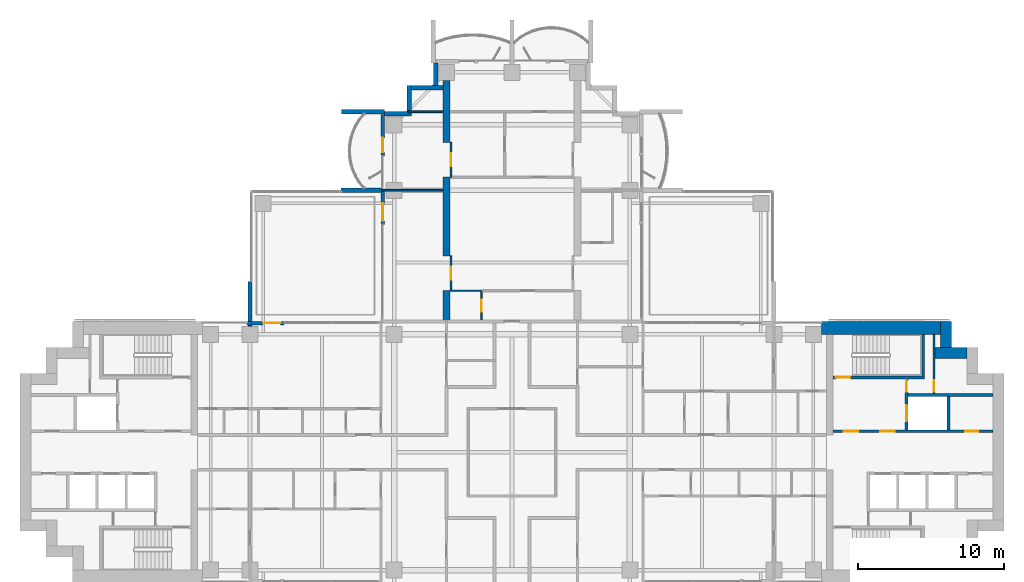
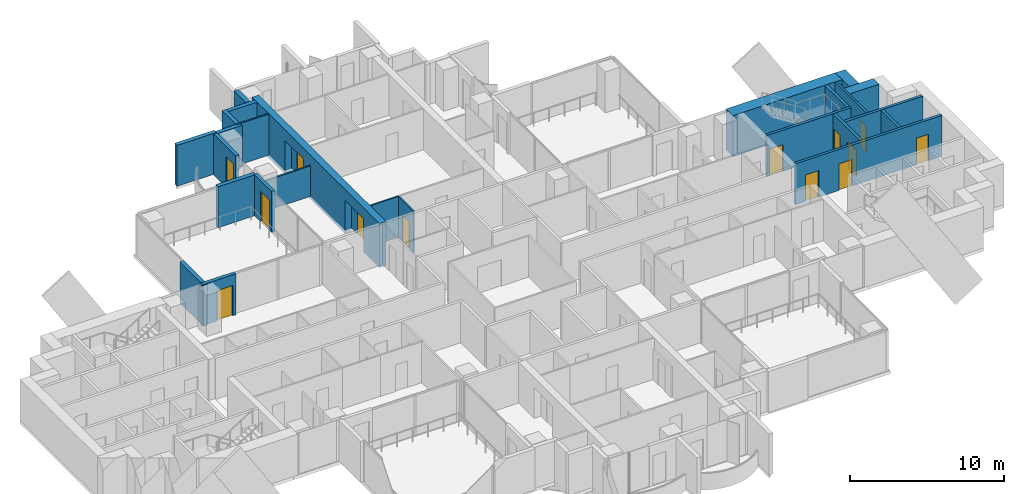
# One storey, part 13 of 19: 27 walls, 13 doors, 13 openings.
"""IFC4 building model written with IfcOpenShell, lengths in metres."""

from ifc_helpers import new_model, si_unit, direction, frame, frame_2d, origin, place, context, subcontext, project, spatial, polyline, rectangle, outline, extrude, material, layer, layer_set, material_profile, profile_set, type_object, element, fill, save


model = new_model("IFC4")

# Units and contexts
model_context = context("Model", 3, precision=1e-05, world=origin(), true_north=direction((0.0, 1.0)))
body_context = subcontext(model_context, "Body", "Model", "MODEL_VIEW")
ifc_project = project(units=[si_unit("LENGTHUNIT", "METRE"), si_unit("AREAUNIT", "SQUARE_METRE"), si_unit("VOLUMEUNIT", "CUBIC_METRE"), si_unit("PLANEANGLEUNIT", "RADIAN"), si_unit("MASSUNIT", "GRAM", prefix="KILO")], contexts=[model_context])

# Site, building, storey
site_placement = place(None, origin())
site = spatial("IfcSite", under=ifc_project, at=site_placement, CompositionType="ELEMENT")
building_placement = place(site_placement, origin())
building = spatial("IfcBuilding", under=site, at=building_placement, Name="Perihelion Cross Residences", CompositionType="ELEMENT")
storey_placement = place(building_placement, frame((0.0, 0.0, 126.89990234375)))
storey = spatial("IfcBuildingStorey", under=building, at=storey_placement, Name="L30", CompositionType="ELEMENT", Elevation=126.89990234375)

# Wall, opening, door
ifc_material_1 = material(Name="Concrete C30/37, bronze-clad", Category="concrete")
ifc_layer_1 = layer(ifc_material_1, 0.25)
ifc_layer_set_1 = layer_set([ifc_layer_1], Name="Bronze-clad pier wall 250")
wall_type_1 = type_object("IfcWallType", Name="Bronze-clad pier wall 250", PredefinedType="SOLIDWALL", material=ifc_layer_set_1)
wall_1_placement = place(storey_placement, frame((-8.875, 23.199951171875, 0.0), z_axis=(0.0, 0.0, 1.0), x_axis=(0.0, -1.0, 0.0)))
wall_1 = element("IfcWall", 1, at=wall_1_placement, inside=storey, type_object=wall_type_1, Name="Wall FW1 L30 north side west bay 1 pier", PredefinedType="SOLIDWALL", context=body_context, shape_type="SweptSolid", body=[
    extrude(rectangle(XDim=2.849853515625, YDim=0.25, at=frame_2d((1.4248046875, 0.0))), origin(), (0.0, 0.0, 1.0), 3.25),
])
opening_1_placement = place(wall_1_placement, frame((1.60009765625, 0.0, 0.0)))
opening_1 = element("IfcOpeningElement", 2, at=opening_1_placement, cuts=wall_1, Name="Opening L30.E06", PredefinedType="OPENING", context=body_context, shape_type="SweptSolid", body=[
    extrude(rectangle(XDim=1.0, YDim=2.39990234375, at=frame_2d((0.5, 1.199951171875))), frame((0.0, 0.135009765625, 0.0), z_axis=(0.0, -1.0, 0.0), x_axis=(1.0, 0.0, 0.0)), (0.0, 0.0, 1.0), 0.27001953125),
])
ifc_material_2 = material(Name="Bronze anodised aluminium, glazed", Category="aluminium")
door_type_1 = type_object("IfcDoorType", Name="Balcony door 1000 x 2400", OperationType="NOTDEFINED", PredefinedType="DOOR", material=ifc_material_2)
door_1_placement = place(opening_1_placement, origin())
door_1 = element("IfcDoor", 3, at=door_1_placement, inside=storey, type_object=door_type_1, Name="Door L30.E06 north side west bay 1", OperationType="SINGLE_SWING_LEFT", OverallHeight=2.39990234375, OverallWidth=1.0, PredefinedType="DOOR", context=body_context, shape_type="SweptSolid", body=[
    extrude(rectangle(XDim=1.0, YDim=2.39990234375, at=frame_2d((0.5, 1.199951171875))), frame((0.0, 0.02490234375, 0.0), z_axis=(0.0, -1.0, 0.0), x_axis=(1.0, 0.0, 0.0)), (0.0, 0.0, 1.0), 0.050048828125),
])
fill(opening_1, door_1)

wall_2_placement = place(storey_placement, frame((-8.875, 17.93994140625, 0.0), z_axis=(0.0, 0.0, 1.0), x_axis=(0.0, -1.0, 0.0)))
wall_2 = element("IfcWall", 4, at=wall_2_placement, inside=storey, type_object=wall_type_1, Name="Wall FW1 L30 north side west bay 2 pier", PredefinedType="SOLIDWALL", context=body_context, shape_type="SweptSolid", body=[
    extrude(rectangle(XDim=2.2900390625, YDim=0.25, at=frame_2d((1.14501953125, 0.0))), origin(), (0.0, 0.0, 1.0), 3.25),
])
opening_2_placement = place(wall_2_placement, frame((0.840087890625, 0.0, 0.0)))
opening_2 = element("IfcOpeningElement", 5, at=opening_2_placement, cuts=wall_2, Name="Opening L30.E07", PredefinedType="OPENING", context=body_context, shape_type="SweptSolid", body=[
    extrude(rectangle(XDim=1.199951171875, YDim=2.39990234375, at=frame_2d((0.60009765625, 1.199951171875))), frame((0.0, 0.135009765625, 0.0), z_axis=(0.0, -1.0, 0.0), x_axis=(1.0, 0.0, 0.0)), (0.0, 0.0, 1.0), 0.27001953125),
])
ifc_material_3 = material(Name="Bronze anodised aluminium, glazed", Category="aluminium")
door_type_2 = type_object("IfcDoorType", Name="Balcony door 1200 x 2400", OperationType="NOTDEFINED", PredefinedType="DOOR", material=ifc_material_3)
door_2_placement = place(opening_2_placement, origin())
door_2 = element("IfcDoor", 6, at=door_2_placement, inside=storey, type_object=door_type_2, Name="Door L30.E07 north side west bay 2", OperationType="SINGLE_SWING_RIGHT", OverallHeight=2.39990234375, OverallWidth=1.199951171875, PredefinedType="DOOR", context=body_context, shape_type="SweptSolid", body=[
    extrude(rectangle(XDim=1.199951171875, YDim=2.39990234375, at=frame_2d((0.60009765625, 1.199951171875))), frame((0.0, 0.02490234375, 0.0), z_axis=(0.0, -1.0, 0.0), x_axis=(1.0, 0.0, 0.0)), (0.0, 0.0, 1.0), 0.050048828125),
])
fill(opening_2, door_2)

wall_3_placement = place(storey_placement, frame((-15.64990234375, 8.875, 0.0), z_axis=(0.0, 0.0, 1.0), x_axis=(-1.0, 0.0, 0.0)))
wall_3 = element("IfcWall", 7, at=wall_3_placement, inside=storey, type_object=wall_type_1, Name="Wall FW1 L30 west side north bay 1 pier", PredefinedType="SOLIDWALL", context=body_context, shape_type="SweptSolid", body=[
    extrude(rectangle(XDim=2.550048828125, YDim=0.25, at=frame_2d((1.27490234375, 0.0))), origin(), (0.0, 0.0, 1.0), 3.25),
])
opening_3_placement = place(wall_3_placement, frame((0.25, 0.0, 0.0)))
opening_3 = element("IfcOpeningElement", 8, at=opening_3_placement, cuts=wall_3, Name="Opening L30.E08", PredefinedType="OPENING", context=body_context, shape_type="SweptSolid", body=[
    extrude(rectangle(XDim=1.199951171875, YDim=2.39990234375, at=frame_2d((0.60009765625, 1.199951171875))), frame((0.0, 0.135009765625, 0.0), z_axis=(0.0, -1.0, 0.0), x_axis=(1.0, 0.0, 0.0)), (0.0, 0.0, 1.0), 0.27001953125),
])
door_3_placement = place(opening_3_placement, origin())
door_3 = element("IfcDoor", 9, at=door_3_placement, inside=storey, type_object=door_type_2, Name="Door L30.E08 west side north bay 1", OperationType="SINGLE_SWING_LEFT", OverallHeight=2.39990234375, OverallWidth=1.199951171875, PredefinedType="DOOR", context=body_context, shape_type="SweptSolid", body=[
    extrude(rectangle(XDim=1.199951171875, YDim=2.39990234375, at=frame_2d((0.60009765625, 1.199951171875))), frame((0.0, 0.02490234375, 0.0), z_axis=(0.0, -1.0, 0.0), x_axis=(1.0, 0.0, 0.0)), (0.0, 0.0, 1.0), 0.050048828125),
])
fill(opening_3, door_3)

# Walls
ifc_material_4 = material(Name="Concrete C30/37, bronze-clad", Category="concrete")
ifc_layer_2 = layer(ifc_material_4, 0.300048828125)
ifc_layer_set_2 = layer_set([ifc_layer_2], Name="Bronze-clad serration wall 300")
wall_type_2 = type_object("IfcWallType", Name="Bronze-clad serration wall 300", PredefinedType="SOLIDWALL", material=ifc_layer_set_2)
wall_4_placement = place(storey_placement, frame((-5.25, 26.75, 0.0), z_axis=(0.0, 0.0, 1.0), x_axis=(0.0, -1.0, 0.0)))
element("IfcWall", 10, at=wall_4_placement, inside=storey, type_object=wall_type_2, Name="Wall SR1 L30 north corner north-west 1", PredefinedType="SOLIDWALL", context=body_context, shape_type="SweptSolid", body=[
    extrude(rectangle(XDim=1.550048828125, YDim=0.300048828125, at=frame_2d((0.77490234375, 0.0))), origin(), (0.0, 0.0, 1.0), 3.25),
])
wall_5_placement = place(storey_placement, frame((-4.75, 25.050048828125, 0.0), z_axis=(0.0, 0.0, 1.0), x_axis=(-1.0, 0.0, 0.0)))
element("IfcWall", 11, at=wall_5_placement, inside=storey, type_object=wall_type_2, Name="Wall SR1 L30 north corner north-west 2", PredefinedType="SOLIDWALL", context=body_context, shape_type="SweptSolid", body=[
    extrude(rectangle(XDim=2.14990234375, YDim=0.300048828125, at=frame_2d((1.074951171875, 0.0))), origin(), (0.0, 0.0, 1.0), 3.25),
])
wall_6_placement = place(storey_placement, frame((-7.050048828125, 25.199951171875, 0.0), z_axis=(0.0, 0.0, 1.0), x_axis=(0.0, -1.0, 0.0)))
element("IfcWall", 12, at=wall_6_placement, inside=storey, type_object=wall_type_2, Name="Wall SR1 L30 north corner north-west 3", PredefinedType="SOLIDWALL", context=body_context, shape_type="SweptSolid", body=[
    extrude(rectangle(XDim=1.800048828125, YDim=0.300048828125, at=frame_2d((0.89990234375, 0.0))), origin(), (0.0, 0.0, 1.0), 3.25),
])
wall_7_placement = place(storey_placement, frame((-6.89990234375, 23.25, 0.0), z_axis=(0.0, 0.0, 1.0), x_axis=(-1.0, 0.0, 0.0)))
element("IfcWall", 13, at=wall_7_placement, inside=storey, type_object=wall_type_2, Name="Wall SR1 L30 north corner north-west 4", PredefinedType="SOLIDWALL", context=body_context, shape_type="SweptSolid", body=[
    extrude(rectangle(XDim=1.85009765625, YDim=0.300048828125, at=frame_2d((0.925048828125, 0.0))), origin(), (0.0, 0.0, 1.0), 3.25),
])
ifc_material_5 = material(Name="Concrete C60/75", Category="concrete")
ifc_layer_3 = layer(ifc_material_5, 0.75)
ifc_layer_set_3 = layer_set([ifc_layer_3], Name="Core wall, outer 750")
wall_type_3 = type_object("IfcWallType", Name="Core wall, outer 750", PredefinedType="SHEAR", material=ifc_layer_set_3)
wall_8_placement = place(storey_placement, frame((29.074951171875, 6.824951171875, 0.0), z_axis=(0.0, 0.0, 1.0), x_axis=(1.0, 0.0, 0.0)))
element("IfcWall", 14, at=wall_8_placement, inside=storey, type_object=wall_type_3, Name="East core core wall, outer", PredefinedType="SHEAR", context=body_context, shape_type="SweptSolid", body=[
    extrude(rectangle(XDim=2.175048828125, YDim=0.75, at=frame_2d((1.08740234375, 0.0))), origin(), (0.0, 0.0, 1.0), 3.25),
])
wall_9_placement = place(storey_placement, frame((29.824951171875, 7.199951171875, 0.0), z_axis=(0.0, 0.0, 1.0), x_axis=(0.0, 1.0, 0.0)))
element("IfcWall", 15, at=wall_9_placement, inside=storey, type_object=wall_type_3, Name="East core core wall, outer", PredefinedType="SHEAR", context=body_context, shape_type="SweptSolid", body=[
    extrude(rectangle(XDim=1.800048828125, YDim=0.75, at=frame_2d((0.89990234375, 0.0))), origin(), (0.0, 0.0, 1.0), 3.25),
])
ifc_material_6 = material(Name="Concrete C60/75", Category="concrete")
ifc_layer_4 = layer(ifc_material_6, 0.89990234375)
ifc_layer_set_4 = layer_set([ifc_layer_4], Name="Core wall, outer 900")
wall_type_4 = type_object("IfcWallType", Name="Core wall, outer 900", PredefinedType="SHEAR", material=ifc_layer_set_4)
wall_10_placement = place(storey_placement, frame((21.25, 8.550048828125, 0.0), z_axis=(0.0, 0.0, 1.0), x_axis=(1.0, 0.0, 0.0)))
element("IfcWall", 16, at=wall_10_placement, inside=storey, type_object=wall_type_4, Name="East core core wall, outer", PredefinedType="SHEAR", context=body_context, shape_type="SweptSolid", body=[
    extrude(rectangle(XDim=8.199951171875, YDim=0.89990234375, at=frame_2d((4.10009765625, 0.0))), origin(), (0.0, 0.0, 1.0), 3.25),
])

# Wall, opening, door
ifc_material_7 = material(Name="Plasterboard partition")
ifc_layer_5 = layer(ifc_material_7, 0.1201171875)
ifc_layer_set_5 = layer_set([ifc_layer_5], Name="Infill panel 120")
wall_type_5 = type_object("IfcWallType", Name="Infill panel 120", PredefinedType="PARTITIONING", material=ifc_layer_set_5)
wall_11_placement = place(storey_placement, frame((-4.18994140625, 11.10009765625, 0.0), z_axis=(0.0, 0.0, 1.0), x_axis=(0.0, 1.0, 0.0)))
wall_11 = element("IfcWall", 17, at=wall_11_placement, inside=storey, type_object=wall_type_5, Name="Partition L30 WI03", PredefinedType="PARTITIONING", context=body_context, shape_type="SweptSolid", body=[
    extrude(rectangle(XDim=2.39990234375, YDim=0.1201171875, at=frame_2d((1.199951171875, 0.0))), origin(), (0.0, 0.0, 1.0), 2.400146484375),
])
opening_4_placement = place(wall_11_placement, frame((0.75, 0.0, 0.0)))
opening_4 = element("IfcOpeningElement", 18, at=opening_4_placement, cuts=wall_11, Name="Opening L30.A51", PredefinedType="OPENING", context=body_context, shape_type="SweptSolid", body=[
    extrude(rectangle(XDim=0.89990234375, YDim=2.10009765625, at=frame_2d((0.449951171875, 1.050048828125))), frame((0.0, 0.070068359375, 0.0), z_axis=(0.0, -1.0, 0.0), x_axis=(1.0, 0.0, 0.0)), (0.0, 0.0, 1.0), 0.14013671875),
])
ifc_material_8 = material(Name="Timber door leaf", Category="wood")
door_type_3 = type_object("IfcDoorType", Name="Interior room door 900 x 2100", OperationType="SINGLE_SWING_LEFT", PredefinedType="DOOR", material=ifc_material_8)
door_4_placement = place(opening_4_placement, origin())
door_4 = element("IfcDoor", 19, at=door_4_placement, inside=storey, type_object=door_type_3, Name="Door L30.A51", OperationType="SINGLE_SWING_RIGHT", OverallHeight=2.10009765625, OverallWidth=0.89990234375, PredefinedType="DOOR", context=body_context, shape_type="SweptSolid", body=[
    extrude(rectangle(XDim=0.89990234375, YDim=2.10009765625, at=frame_2d((0.449951171875, 1.050048828125))), frame((0.0, 0.02490234375, 0.0), z_axis=(0.0, -1.0, 0.0), x_axis=(1.0, 0.0, 0.0)), (0.0, 0.0, 1.0), 0.050048828125),
])
fill(opening_4, door_4)

wall_12_placement = place(storey_placement, frame((-4.18994140625, 18.89990234375, 0.0), z_axis=(0.0, 0.0, 1.0), x_axis=(0.0, 1.0, 0.0)))
wall_12 = element("IfcWall", 20, at=wall_12_placement, inside=storey, type_object=wall_type_5, Name="Partition L30 WI04", PredefinedType="PARTITIONING", context=body_context, shape_type="SweptSolid", body=[
    extrude(rectangle(XDim=2.400146484375, YDim=0.1201171875, at=frame_2d((1.2001953125, 0.0))), origin(), (0.0, 0.0, 1.0), 2.400146484375),
])
opening_5_placement = place(wall_12_placement, frame((0.75, 0.0, 0.0)))
opening_5 = element("IfcOpeningElement", 21, at=opening_5_placement, cuts=wall_12, Name="Opening L30.A52", PredefinedType="OPENING", context=body_context, shape_type="SweptSolid", body=[
    extrude(rectangle(XDim=0.89990234375, YDim=2.10009765625, at=frame_2d((0.449951171875, 1.050048828125))), frame((0.0, 0.070068359375, 0.0), z_axis=(0.0, -1.0, 0.0), x_axis=(1.0, 0.0, 0.0)), (0.0, 0.0, 1.0), 0.14013671875),
])
door_5_placement = place(opening_5_placement, origin())
door_5 = element("IfcDoor", 22, at=door_5_placement, inside=storey, type_object=door_type_3, Name="Door L30.A52", OperationType="SINGLE_SWING_LEFT", OverallHeight=2.10009765625, OverallWidth=0.89990234375, PredefinedType="DOOR", context=body_context, shape_type="SweptSolid", body=[
    extrude(rectangle(XDim=0.89990234375, YDim=2.10009765625, at=frame_2d((0.449951171875, 1.050048828125))), frame((0.0, 0.02490234375, 0.0), z_axis=(0.0, -1.0, 0.0), x_axis=(1.0, 0.0, 0.0)), (0.0, 0.0, 1.0), 0.050048828125),
])
fill(opening_5, door_5)

# Walls
ifc_material_9 = material(Name="Plasterboard partition")
ifc_layer_6 = layer(ifc_material_9, 0.1201171875)
ifc_layer_set_6 = layer_set([ifc_layer_6], Name="Partition wall 120")
wall_type_6 = type_object("IfcWallType", Name="Partition wall 120", PredefinedType="PARTITIONING", material=ifc_layer_set_6)
wall_13_placement = place(storey_placement, frame((-8.919921875, 18.0, 0.0), z_axis=(0.0, 0.0, 1.0), x_axis=(1.0, 0.0, 0.0)))
element("IfcWall", 23, at=wall_13_placement, inside=storey, type_object=wall_type_6, Name="Partition L30 W072", PredefinedType="PARTITIONING", context=body_context, shape_type="SweptSolid", body=[
    extrude(rectangle(XDim=4.169921875, YDim=0.1201171875, at=frame_2d((2.0849609375, 0.0))), origin(), (0.0, 0.0, 1.0), 2.4140625),
])
wall_14_placement = place(storey_placement, frame((-7.1201171875, 23.39990234375, 0.0), z_axis=(0.0, 0.0, 1.0), x_axis=(1.0, 0.0, 0.0)))
element("IfcWall", 24, at=wall_14_placement, inside=storey, type_object=wall_type_6, Name="Partition L30 W073", PredefinedType="PARTITIONING", context=body_context, shape_type="SweptSolid", body=[
    extrude(rectangle(XDim=2.3701171875, YDim=0.1201171875, at=frame_2d((1.18505859375, 0.0))), origin(), (0.0, 0.0, 1.0), 3.25),
])
ifc_material_10 = material(Name="Precast concrete C50/60", Category="concrete")
ifc_layer_7 = layer(ifc_material_10, 0.300048828125)
ifc_layer_set_7 = layer_set([ifc_layer_7], Name="Precast concrete C50/60 blade wall 300")
wall_type_7 = type_object("IfcWallType", Name="Precast concrete C50/60 blade wall 300", PredefinedType="SOLIDWALL", material=ifc_layer_set_7)
wall_15_placement = place(storey_placement, frame((-18.0, 8.64990234375, 0.0), z_axis=(0.0, 0.0, 1.0), x_axis=(0.0, 1.0, 0.0)))
element("IfcWall", 25, at=wall_15_placement, inside=storey, type_object=wall_type_7, Name="Wall BL1 L30 no. 2", PredefinedType="SOLIDWALL", context=body_context, shape_type="SweptSolid", body=[
    extrude(rectangle(XDim=3.090087890625, YDim=0.300048828125, at=frame_2d((1.544921875, 0.0))), origin(), (0.0, 0.0, 1.0), 3.25),
])
wall_16_placement = place(storey_placement, frame((-8.919921875, 18.0, 0.0), z_axis=(0.0, 0.0, 1.0), x_axis=(-1.0, 0.0, 0.0)))
element("IfcWall", 26, at=wall_16_placement, inside=storey, type_object=wall_type_7, Name="Wall BL1 L30 no. 6", PredefinedType="SOLIDWALL", context=body_context, shape_type="SweptSolid", body=[
    extrude(rectangle(XDim=2.820068359375, YDim=0.300048828125, at=frame_2d((1.41015625, 0.0))), origin(), (0.0, 0.0, 1.0), 3.25),
])
wall_17_placement = place(storey_placement, frame((-8.75, 23.39990234375, 0.0), z_axis=(0.0, 0.0, 1.0), x_axis=(-1.0, 0.0, 0.0)))
element("IfcWall", 27, at=wall_17_placement, inside=storey, type_object=wall_type_7, Name="Wall BL1 L30 no. 7", PredefinedType="SOLIDWALL", context=body_context, shape_type="SweptSolid", body=[
    extrude(rectangle(XDim=2.949951171875, YDim=0.300048828125, at=frame_2d((1.47509765625, 0.0))), origin(), (0.0, 0.0, 1.0), 3.25),
])

# Wall, opening, door
ifc_material_11 = material(Name="Fire-rated board on steel stud", Category="steel")
ifc_layer_8 = layer(ifc_material_11, 0.14990234375)
ifc_layer_set_8 = layer_set([ifc_layer_8], Name="Riser wall 150")
wall_type_8 = type_object("IfcWallType", Name="Riser wall 150", PredefinedType="PARTITIONING", material=ifc_layer_set_8)
wall_18_placement = place(storey_placement, frame((29.0, 4.050048828125, 0.0), z_axis=(0.0, 0.0, 1.0), x_axis=(0.0, 1.0, 0.0)))
wall_18 = element("IfcWall", 28, at=wall_18_placement, inside=storey, type_object=wall_type_8, Name="East core riser wall", PredefinedType="PARTITIONING", context=body_context, shape_type="SweptSolid", body=[
    extrude(rectangle(XDim=4.050048828125, YDim=0.14990234375, at=frame_2d((2.02490234375, 0.0))), origin(), (0.0, 0.0, 1.0), 3.25),
])
opening_6_placement = place(wall_18_placement, frame((0.10009765625, 0.0, 0.0)))
opening_6 = element("IfcOpeningElement", 29, at=opening_6_placement, cuts=wall_18, Name="Opening L30.C12", PredefinedType="OPENING", context=body_context, shape_type="SweptSolid", body=[
    extrude(rectangle(XDim=0.800048828125, YDim=2.10009765625, at=frame_2d((0.39990234375, 1.050048828125))), frame((0.0, 0.0849609375, 0.0), z_axis=(0.0, -1.0, 0.0), x_axis=(1.0, 0.0, 0.0)), (0.0, 0.0, 1.0), 0.169921875),
])
ifc_material_12 = material(Name="Steel, powder coated", Category="steel")
door_type_4 = type_object("IfcDoorType", Name="Riser door 800", OperationType="SINGLE_SWING_LEFT", PredefinedType="DOOR", material=ifc_material_12)
door_6_placement = place(opening_6_placement, origin())
door_6 = element("IfcDoor", 30, at=door_6_placement, inside=storey, type_object=door_type_4, Name="East core riser door", OperationType="SINGLE_SWING_LEFT", OverallHeight=2.10009765625, OverallWidth=0.800048828125, PredefinedType="DOOR", context=body_context, shape_type="SweptSolid", body=[
    extrude(rectangle(XDim=0.800048828125, YDim=2.10009765625, at=frame_2d((0.39990234375, 1.050048828125))), frame((0.0, 0.02490234375, 0.0), z_axis=(0.0, -1.0, 0.0), x_axis=(1.0, 0.0, 0.0)), (0.0, 0.0, 1.0), 0.050048828125),
])
fill(opening_6, door_6)

# Wall, openings, doors
ifc_material_13 = material(Name="Concrete C50/60", Category="concrete")
ifc_layer_9 = layer(ifc_material_13, 0.199951171875)
ifc_layer_set_9 = layer_set([ifc_layer_9], Name="Shaft wall 200")
wall_type_9 = type_object("IfcWallType", Name="Shaft wall 200", PredefinedType="SOLIDWALL", material=ifc_layer_set_9)
wall_19_placement = place(storey_placement, frame((22.050048828125, 1.449951171875, 0.0), z_axis=(0.0, 0.0, 1.0), x_axis=(1.0, 0.0, 0.0)))
wall_19 = element("IfcWall", 31, at=wall_19_placement, inside=storey, type_object=wall_type_9, Name="East core shaft wall", PredefinedType="SOLIDWALL", context=body_context, shape_type="SweptSolid", body=[
    extrude(rectangle(XDim=11.0, YDim=0.199951171875, at=frame_2d((5.5, 0.0))), origin(), (0.0, 0.0, 1.0), 3.25),
])
opening_7_placement = place(wall_19_placement, frame((0.75, 0.0, 0.0)))
opening_7 = element("IfcOpeningElement", 32, at=opening_7_placement, cuts=wall_19, Name="Opening L30.C07", PredefinedType="OPENING", context=body_context, shape_type="SweptSolid", body=[
    extrude(rectangle(XDim=1.0, YDim=2.10009765625, at=frame_2d((0.5, 1.050048828125))), frame((0.0, 0.10986328125, 0.0), z_axis=(0.0, -1.0, 0.0), x_axis=(1.0, 0.0, 0.0)), (0.0, 0.0, 1.0), 0.219970703125),
])
opening_8_placement = place(wall_19_placement, frame((3.25, 0.0, 0.0)))
opening_8 = element("IfcOpeningElement", 33, at=opening_8_placement, cuts=wall_19, Name="Opening L30.C09", PredefinedType="OPENING", context=body_context, shape_type="SweptSolid", body=[
    extrude(rectangle(XDim=1.0, YDim=2.10009765625, at=frame_2d((0.5, 1.050048828125))), frame((0.0, 0.10986328125, 0.0), z_axis=(0.0, -1.0, 0.0), x_axis=(1.0, 0.0, 0.0)), (0.0, 0.0, 1.0), 0.219970703125),
])
opening_9_placement = place(wall_19_placement, frame((9.074951171875, 0.0, 0.0)))
opening_9 = element("IfcOpeningElement", 34, at=opening_9_placement, cuts=wall_19, Name="Opening L30.C13", PredefinedType="OPENING", context=body_context, shape_type="SweptSolid", body=[
    extrude(rectangle(XDim=0.89990234375, YDim=2.10009765625, at=frame_2d((0.449951171875, 1.050048828125))), frame((0.0, 0.10986328125, 0.0), z_axis=(0.0, -1.0, 0.0), x_axis=(1.0, 0.0, 0.0)), (0.0, 0.0, 1.0), 0.219970703125),
])
ifc_material_14 = material(Name="Steel, powder coated", Category="steel")
door_type_5 = type_object("IfcDoorType", Name="Lobby door 1000", OperationType="SINGLE_SWING_LEFT", PredefinedType="DOOR", material=ifc_material_14)
door_7_placement = place(opening_7_placement, origin())
door_7 = element("IfcDoor", 35, at=door_7_placement, inside=storey, type_object=door_type_5, Name="East core firefighting lobby door", OperationType="SINGLE_SWING_LEFT", OverallHeight=2.10009765625, OverallWidth=1.0, PredefinedType="DOOR", context=body_context, shape_type="SweptSolid", body=[
    extrude(rectangle(XDim=1.0, YDim=2.10009765625, at=frame_2d((0.5, 1.050048828125))), frame((0.0, 0.02490234375, 0.0), z_axis=(0.0, -1.0, 0.0), x_axis=(1.0, 0.0, 0.0)), (0.0, 0.0, 1.0), 0.050048828125),
])
fill(opening_7, door_7)
door_8_placement = place(opening_8_placement, origin())
door_8 = element("IfcDoor", 36, at=door_8_placement, inside=storey, type_object=door_type_5, Name="East core firefighting lobby door", OperationType="SINGLE_SWING_LEFT", OverallHeight=2.10009765625, OverallWidth=1.0, PredefinedType="DOOR", context=body_context, shape_type="SweptSolid", body=[
    extrude(rectangle(XDim=1.0, YDim=2.10009765625, at=frame_2d((0.5, 1.050048828125))), frame((0.0, 0.02490234375, 0.0), z_axis=(0.0, -1.0, 0.0), x_axis=(1.0, 0.0, 0.0)), (0.0, 0.0, 1.0), 0.050048828125),
])
fill(opening_8, door_8)
ifc_material_15 = material(Name="Steel, powder coated", Category="steel")
door_type_6 = type_object("IfcDoorType", Name="Service room door 900", OperationType="SINGLE_SWING_LEFT", PredefinedType="DOOR", material=ifc_material_15)
door_9_placement = place(opening_9_placement, origin())
door_9 = element("IfcDoor", 37, at=door_9_placement, inside=storey, type_object=door_type_6, Name="East core service room door", OperationType="SINGLE_SWING_LEFT", OverallHeight=2.10009765625, OverallWidth=0.89990234375, PredefinedType="DOOR", context=body_context, shape_type="SweptSolid", body=[
    extrude(rectangle(XDim=0.89990234375, YDim=2.10009765625, at=frame_2d((0.449951171875, 1.050048828125))), frame((0.0, 0.02490234375, 0.0), z_axis=(0.0, -1.0, 0.0), x_axis=(1.0, 0.0, 0.0)), (0.0, 0.0, 1.0), 0.050048828125),
])
fill(opening_9, door_9)

# Wall
wall_20_placement = place(storey_placement, frame((27.199951171875, 3.949951171875, 0.0), z_axis=(0.0, 0.0, 1.0), x_axis=(1.0, 0.0, 0.0)))
element("IfcWall", 38, at=wall_20_placement, inside=storey, type_object=wall_type_9, Name="East core shaft wall", PredefinedType="SOLIDWALL", context=body_context, shape_type="SweptSolid", body=[
    extrude(rectangle(XDim=5.85009765625, YDim=0.199951171875, at=frame_2d((2.925048828125, 0.0))), origin(), (0.0, 0.0, 1.0), 3.25),
])

# Wall, openings, doors
wall_21_placement = place(storey_placement, frame((27.10009765625, 1.550048828125, 0.0), z_axis=(0.0, 0.0, 1.0), x_axis=(0.0, 1.0, 0.0)))
wall_21 = element("IfcWall", 39, at=wall_21_placement, inside=storey, type_object=wall_type_9, Name="East core shaft wall", PredefinedType="SOLIDWALL", context=body_context, shape_type="SweptSolid", body=[
    extrude(rectangle(XDim=3.5, YDim=0.199951171875, at=frame_2d((1.75, 0.0))), origin(), (0.0, 0.0, 1.0), 3.25),
])
opening_10_placement = place(wall_21_placement, frame((0.60009765625, 0.0, 0.0)))
opening_10 = element("IfcOpeningElement", 40, at=opening_10_placement, cuts=wall_21, Name="Opening L30.C02", PredefinedType="OPENING", context=body_context, shape_type="SweptSolid", body=[
    extrude(rectangle(XDim=1.10009765625, YDim=2.10009765625, at=frame_2d((0.550048828125, 1.050048828125))), frame((0.0, 0.10986328125, 0.0), z_axis=(0.0, -1.0, 0.0), x_axis=(1.0, 0.0, 0.0)), (0.0, 0.0, 1.0), 0.219970703125),
])
opening_11_placement = place(wall_21_placement, frame((2.60009765625, 0.0, 0.0)))
opening_11 = element("IfcOpeningElement", 41, at=opening_11_placement, cuts=wall_21, Name="Opening L30.C10", PredefinedType="OPENING", context=body_context, shape_type="SweptSolid", body=[
    extrude(rectangle(XDim=0.800048828125, YDim=2.10009765625, at=frame_2d((0.39990234375, 1.050048828125))), frame((0.0, 0.10986328125, 0.0), z_axis=(0.0, -1.0, 0.0), x_axis=(1.0, 0.0, 0.0)), (0.0, 0.0, 1.0), 0.219970703125),
])
ifc_material_16 = material(Name="Stainless steel", Category="steel")
door_type_7 = type_object("IfcDoorType", Name="Landing door, firefighting lift 1100", OperationType="DOUBLE_DOOR_SLIDING", PredefinedType="DOOR", material=ifc_material_16)
door_10_placement = place(opening_10_placement, origin())
door_10 = element("IfcDoor", 42, at=door_10_placement, inside=storey, type_object=door_type_7, Name="Landing door, East core firefighting and service lift", OperationType="DOUBLE_DOOR_SLIDING", OverallHeight=2.10009765625, OverallWidth=1.10009765625, PredefinedType="DOOR", context=body_context, shape_type="SweptSolid", body=[
    extrude(rectangle(XDim=1.10009765625, YDim=2.10009765625, at=frame_2d((0.550048828125, 1.050048828125))), frame((0.0, 0.02490234375, 0.0), z_axis=(0.0, -1.0, 0.0), x_axis=(1.0, 0.0, 0.0)), (0.0, 0.0, 1.0), 0.050048828125),
])
fill(opening_10, door_10)
door_11_placement = place(opening_11_placement, origin())
door_11 = element("IfcDoor", 43, at=door_11_placement, inside=storey, type_object=door_type_4, Name="East core riser door", OperationType="SINGLE_SWING_LEFT", OverallHeight=2.10009765625, OverallWidth=0.800048828125, PredefinedType="DOOR", context=body_context, shape_type="SweptSolid", body=[
    extrude(rectangle(XDim=0.800048828125, YDim=2.10009765625, at=frame_2d((0.39990234375, 1.050048828125))), frame((0.0, 0.02490234375, 0.0), z_axis=(0.0, -1.0, 0.0), x_axis=(1.0, 0.0, 0.0)), (0.0, 0.0, 1.0), 0.050048828125),
])
fill(opening_11, door_11)

# Wall
wall_22_placement = place(storey_placement, frame((30.0, 1.550048828125, 0.0), z_axis=(0.0, 0.0, 1.0), x_axis=(0.0, 1.0, 0.0)))
element("IfcWall", 44, at=wall_22_placement, inside=storey, type_object=wall_type_9, Name="East core shaft wall", PredefinedType="SOLIDWALL", context=body_context, shape_type="SweptSolid", body=[
    extrude(rectangle(XDim=2.300048828125, YDim=0.199951171875, at=frame_2d((1.14990234375, 0.0))), origin(), (0.0, 0.0, 1.0), 3.25),
])

# Wall, opening, door
ifc_material_17 = material(Name="Concrete C50/60", Category="concrete")
ifc_layer_10 = layer(ifc_material_17, 0.199951171875)
ifc_layer_set_10 = layer_set([ifc_layer_10], Name="Stair wall 200")
wall_type_10 = type_object("IfcWallType", Name="Stair wall 200", PredefinedType="SOLIDWALL", material=ifc_layer_set_10)
wall_23_placement = place(storey_placement, frame((22.050048828125, 5.14990234375, 0.0), z_axis=(0.0, 0.0, 1.0), x_axis=(1.0, 0.0, 0.0)))
wall_23 = element("IfcWall", 45, at=wall_23_placement, inside=storey, type_object=wall_type_10, Name="East core stair wall", PredefinedType="SOLIDWALL", context=body_context, shape_type="SweptSolid", body=[
    extrude(rectangle(XDim=6.300048828125, YDim=0.199951171875, at=frame_2d((3.14990234375, 0.0))), origin(), (0.0, 0.0, 1.0), 3.25),
])
opening_12_placement = place(wall_23_placement, frame((0.199951171875, 0.0, 0.0)))
opening_12 = element("IfcOpeningElement", 46, at=opening_12_placement, cuts=wall_23, Name="Opening L30.C06", PredefinedType="OPENING", context=body_context, shape_type="SweptSolid", body=[
    extrude(rectangle(XDim=1.0, YDim=2.10009765625, at=frame_2d((0.5, 1.050048828125))), frame((0.0, 0.10986328125, 0.0), z_axis=(0.0, -1.0, 0.0), x_axis=(1.0, 0.0, 0.0)), (0.0, 0.0, 1.0), 0.219970703125),
])
ifc_material_18 = material(Name="Steel, powder coated", Category="steel")
door_type_8 = type_object("IfcDoorType", Name="Stair door 1000", OperationType="SINGLE_SWING_LEFT", PredefinedType="DOOR", material=ifc_material_18)
door_12_placement = place(opening_12_placement, origin())
door_12 = element("IfcDoor", 47, at=door_12_placement, inside=storey, type_object=door_type_8, Name="East core stair door", OperationType="SINGLE_SWING_LEFT", OverallHeight=2.10009765625, OverallWidth=1.0, PredefinedType="DOOR", context=body_context, shape_type="SweptSolid", body=[
    extrude(rectangle(XDim=1.0, YDim=2.10009765625, at=frame_2d((0.5, 1.050048828125))), frame((0.0, 0.02490234375, 0.0), z_axis=(0.0, -1.0, 0.0), x_axis=(1.0, 0.0, 0.0)), (0.0, 0.0, 1.0), 0.050048828125),
])
fill(opening_12, door_12)

# Walls
wall_24_placement = place(storey_placement, frame((28.25, 5.25, 0.0), z_axis=(0.0, 0.0, 1.0), x_axis=(0.0, 1.0, 0.0)))
element("IfcWall", 48, at=wall_24_placement, inside=storey, type_object=wall_type_10, Name="East core stair wall", PredefinedType="SOLIDWALL", context=body_context, shape_type="SweptSolid", body=[
    extrude(rectangle(XDim=2.85009765625, YDim=0.199951171875, at=frame_2d((1.425048828125, 0.0))), origin(), (0.0, 0.0, 1.0), 3.25),
])
ifc_material_19 = material(Name="Concrete C60/75", Category="concrete")
ifc_material_profile = material_profile(ifc_material_19, outline(polyline([(0.0, 0.0), (2.10009765625, 0.0), (2.10009765625, 2.64990234375), (4.5, 2.64990234375), (4.5, 0.0), (9.89990234375, 0.0), (9.89990234375, 2.64990234375), (12.300048828125, 2.64990234375), (12.300048828125, 0.0), (16.550048828125, 0.0), (16.550048828125, 3.5), (0.0, 3.5), (0.0, 0.0)])), Name="Tip spine wall")
ifc_profile_set = profile_set([ifc_material_profile], Name="Concrete C60/75")
wall_type_11 = type_object("IfcWallType", Name="Tip spine wall 500 with 2 door openings 16550 long 3500 high concrete C60/75", PredefinedType="SHEAR", material=ifc_profile_set)
wall_25_placement = place(storey_placement, frame((-4.75, 9.0, -0.25), z_axis=(1.0, 0.0, 0.0), x_axis=(0.0, 1.0, 0.0)))
element("IfcWall", 49, at=wall_25_placement, inside=storey, type_object=wall_type_11, Name="Shear wall SW34 L30 north west", PredefinedType="SHEAR", context=body_context, shape_type="SweptSolid", body=[
    extrude(outline(polyline([(0.0, 0.0), (2.10009765625, 0.0), (2.10009765625, 2.64990234375), (4.5, 2.64990234375), (4.5, 0.0), (9.89990234375, 0.0), (9.89990234375, 2.64990234375), (12.300048828125, 2.64990234375), (12.300048828125, 0.0), (16.550048828125, 0.0), (16.550048828125, 3.5), (0.0, 3.5), (0.0, 0.0)])), origin(), (0.0, 0.0, 1.0), 0.5),
])

# Wall, opening, door
ifc_material_20 = material(Name="Plasterboard partition")
ifc_layer_11 = layer(ifc_material_20, 0.10009765625)
ifc_layer_set_11 = layer_set([ifc_layer_11], Name="Wet room wall 100")
wall_type_12 = type_object("IfcWallType", Name="Wet room wall 100", PredefinedType="PARTITIONING", material=ifc_layer_set_11)
wall_26_placement = place(storey_placement, frame((-2.10009765625, 9.10009765625, 0.0), z_axis=(0.0, 0.0, 1.0), x_axis=(0.0, 1.0, 0.0)))
wall_26 = element("IfcWall", 50, at=wall_26_placement, inside=storey, type_object=wall_type_12, Name="Partition L30 W061", PredefinedType="PARTITIONING", context=body_context, shape_type="SweptSolid", body=[
    extrude(rectangle(XDim=1.93994140625, YDim=0.10009765625, at=frame_2d((0.969970703125, 0.0))), origin(), (0.0, 0.0, 1.0), 3.25),
])
opening_13_placement = place(wall_26_placement, frame((0.544921875, 0.0, 0.0)))
opening_13 = element("IfcOpeningElement", 51, at=opening_13_placement, cuts=wall_26, Name="Opening L30.A33", PredefinedType="OPENING", context=body_context, shape_type="SweptSolid", body=[
    extrude(rectangle(XDim=0.85009765625, YDim=2.10009765625, at=frame_2d((0.425048828125, 1.050048828125))), frame((0.0, 0.06005859375, 0.0), z_axis=(0.0, -1.0, 0.0), x_axis=(1.0, 0.0, 0.0)), (0.0, 0.0, 1.0), 0.1201171875),
])
ifc_material_21 = material(Name="Timber door leaf", Category="wood")
door_type_9 = type_object("IfcDoorType", Name="Interior bathroom door 850 x 2100", OperationType="SINGLE_SWING_LEFT", PredefinedType="DOOR", material=ifc_material_21)
door_13_placement = place(opening_13_placement, origin())
door_13 = element("IfcDoor", 52, at=door_13_placement, inside=storey, type_object=door_type_9, Name="Door L30.A33", OperationType="SINGLE_SWING_LEFT", OverallHeight=2.10009765625, OverallWidth=0.85009765625, PredefinedType="DOOR", context=body_context, shape_type="SweptSolid", body=[
    extrude(rectangle(XDim=0.85009765625, YDim=2.10009765625, at=frame_2d((0.425048828125, 1.050048828125))), frame((0.0, 0.02490234375, 0.0), z_axis=(0.0, -1.0, 0.0), x_axis=(1.0, 0.0, 0.0)), (0.0, 0.0, 1.0), 0.050048828125),
])
fill(opening_13, door_13)

# Wall
wall_27_placement = place(storey_placement, frame((-4.25, 11.10009765625, 0.0), z_axis=(0.0, 0.0, 1.0), x_axis=(1.0, 0.0, 0.0)))
element("IfcWall", 53, at=wall_27_placement, inside=storey, type_object=wall_type_12, Name="Partition L30 W063", PredefinedType="PARTITIONING", context=body_context, shape_type="SweptSolid", body=[
    extrude(rectangle(XDim=2.14990234375, YDim=0.10009765625, at=frame_2d((1.074951171875, 0.0))), origin(), (0.0, 0.0, 1.0), 3.25),
])

save(model, "model.ifc")
